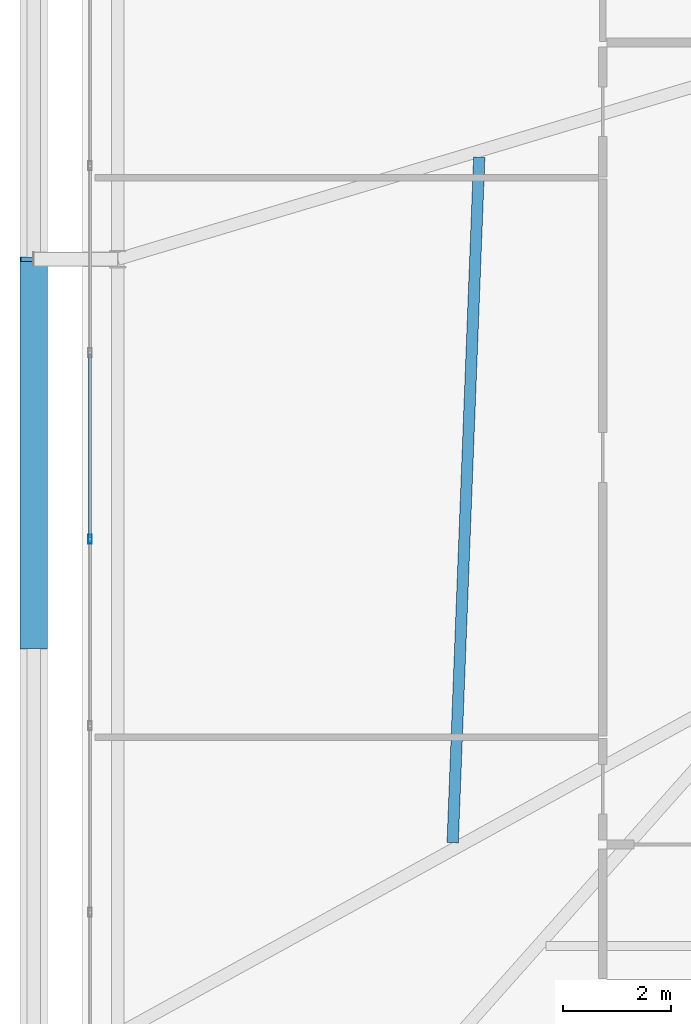
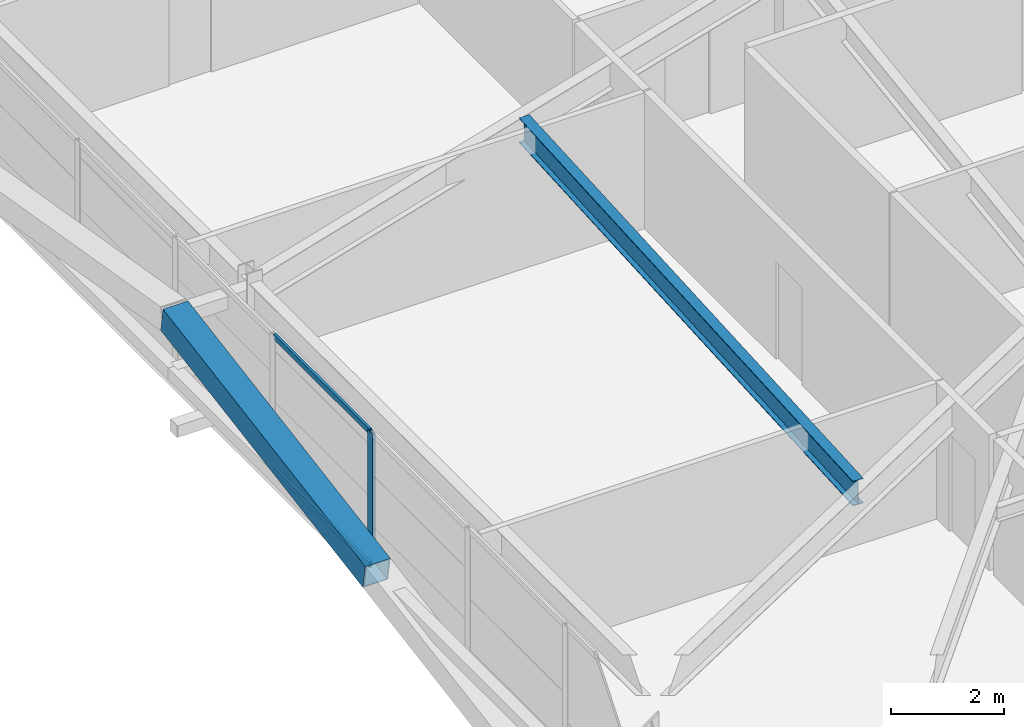
# One storey, part 10 of 59: 4 members, 1 beam, 1 element without a shape of its own.
"""IFC4 building model written with IfcOpenShell, lengths in metres."""

from ifc_helpers import new_model, si_unit, direction, frame, origin, origin_2d, place, context, subcontext, project, spatial, hollow_rectangle, i_section, extrude, source, transform, mapped, material, layer, layer_set, material_profile, profile_set, type_object, element, aggregate, save


model = new_model("IFC4")

# Units and contexts
model_context = context("Model", 3, precision=1e-05, world=origin(), true_north=direction((0.0, 1.0)))
body_context = subcontext(model_context, "Body", "Model", "MODEL_VIEW")
ifc_project = project(units=[si_unit("LENGTHUNIT", "METRE"), si_unit("AREAUNIT", "SQUARE_METRE"), si_unit("VOLUMEUNIT", "CUBIC_METRE"), si_unit("PLANEANGLEUNIT", "RADIAN"), si_unit("MASSUNIT", "GRAM", prefix="KILO")], contexts=[model_context])

# Site, building, storey
site_placement = place(None, origin())
site = spatial("IfcSite", under=ifc_project, at=site_placement, CompositionType="ELEMENT")
building_placement = place(site_placement, origin())
building = spatial("IfcBuilding", under=site, at=building_placement, Name="Taldren Reach Tower", CompositionType="ELEMENT")
storey_placement = place(building_placement, frame((0.0, 0.0, 29.39990234375)))
storey = spatial("IfcBuildingStorey", under=building, at=storey_placement, Name="L08", CompositionType="ELEMENT", Elevation=29.39990234375)

# Beam
ifc_material_1 = material(Name="Steel Gr 350 (350PLUS)", Category="steel")
ifc_material_profile_1 = material_profile(ifc_material_1, i_section(OverallWidth=0.208984375, OverallDepth=0.532958984375, WebThickness=0.01025390625, FlangeThickness=0.015625, at=origin_2d()), Name="530UB92.4")
ifc_profile_set_1 = profile_set([ifc_material_profile_1], Name="Steel Gr 350 (350PLUS)")
beam_type = type_object("IfcBeamType", Name="BM-UB530A", PredefinedType="BEAM", material=ifc_profile_set_1)
shared_shape_1 = source(origin(), body_context, "Body", "SweptSolid", [
    extrude(i_section(OverallWidth=0.208984375, OverallDepth=0.532958984375, WebThickness=0.01025390625, FlangeThickness=0.015625, at=origin_2d()), origin(), (0.0, 0.0, 1.0), 12.65625),
])
beam_placement = place(storey_placement, frame((11.830078125, 9.23291015625, 2.66357421875), z_axis=(0.0387346395, 0.99924953225, 0.0), x_axis=(-0.99924953225, 0.0387346395, 0.0)))
element("IfcBeam", 1, at=beam_placement, inside=storey, type_object=beam_type, Name="Secondary floor beam B1 J6 L08", PredefinedType="BEAM", context=body_context, shape_type="MappedRepresentation", body=[
    mapped(shared_shape_1, transform((0.0, 0.0, 0.0), scale=1.0)),
])

# Member
ifc_material_2 = material(Name="Steel Gr 450 (C450L0)", Category="steel")
ifc_material_profile_2 = material_profile(ifc_material_2, hollow_rectangle(XDim=0.510009765625, YDim=0.510009765625, WallThickness=0.02001953125, at=origin_2d()), Name="510x510x20.0SHS")
ifc_profile_set_2 = profile_set([ifc_material_profile_2], Name="Steel Gr 450 (C450L0)")
member_type_1 = type_object("IfcMemberType", Name="MB-EXO508", PredefinedType="BRACE", material=ifc_profile_set_2)
shared_shape_2 = source(origin(), body_context, "Body", "SweptSolid", [
    extrude(hollow_rectangle(XDim=0.510009765625, YDim=0.510009765625, WallThickness=0.02001953125, at=origin_2d()), origin(), (0.0, 0.0, 1.0), 7.25244140625),
])
member_1_placement = place(storey_placement, frame((4.10009765625, 12.85009765625, 1.43505859375), z_axis=(0.0, 0.985864855729, 0.167542490848), x_axis=(-1.0, 0.0, 0.0)))
element("IfcMember", 2, at=member_1_placement, inside=storey, type_object=member_type_1, Name="Exoskeleton Diagrid Brace B1-W1 L08", PredefinedType="BRACE", context=body_context, shape_type="MappedRepresentation", body=[
    mapped(shared_shape_2, transform((0.0, 0.0, 0.0), scale=1.0)),
])

# Curtain wall, members
ifc_material_3 = material(Name="Aluminium and Low-E Glass Unitised System", Category="aluminium")
ifc_layer = layer(ifc_material_3, 0.159912109375)
ifc_layer_set = layer_set([ifc_layer], Name="Aluminium and Low-E Glass Unitised System")
curtain_wall_type = type_object("IfcCurtainWallType", Name="CW-SYS-2", PredefinedType="NOTDEFINED", material=ifc_layer_set)
curtain_wall_placement = place(storey_placement, origin())
curtain_wall = element("IfcCurtainWall", 3, at=curtain_wall_placement, inside=storey, type_object=curtain_wall_type, Name="Unitised curtain wall CW-L08-W", PredefinedType="NOTDEFINED")
ifc_material_4 = material(Name="Anodised Aluminium 6063-T6", Category="aluminium")
ifc_material_profile_3 = material_profile(ifc_material_4, hollow_rectangle(XDim=0.054931640625, YDim=0.1201171875, WallThickness=0.0029296875, at=origin_2d()), Name="ALU-120x55x3RHS")
ifc_profile_set_3 = profile_set([ifc_material_profile_3], Name="Anodised Aluminium 6063-T6")
member_type_2 = type_object("IfcMemberType", Name="CW-TRN-135", PredefinedType="USERDEFINED", material=ifc_profile_set_3)
shared_shape_3 = source(origin(), body_context, "Body", "SweptSolid", [
    extrude(hollow_rectangle(XDim=0.054931640625, YDim=0.1201171875, WallThickness=0.0029296875, at=origin_2d()), origin(), (0.0, 0.0, 1.0), 3.379638671875),
])
member_2_placement = place(storey_placement, frame((5.139892578125, 18.245361328125, 0.027587890625), z_axis=(0.0, -1.0, 0.0), x_axis=(1.0, 0.0, 0.0)))
member_2 = element("IfcMember", 4, at=member_2_placement, type_object=member_type_2, Name="CW-2 transom 6.1", ObjectType="TRANSOM", PredefinedType="USERDEFINED", context=body_context, shape_type="MappedRepresentation", body=[
    mapped(shared_shape_3, transform((0.0, 0.0, 0.0), scale=1.0)),
])
member_3_placement = place(storey_placement, frame((5.139892578125, 18.245361328125, 2.902587890625), z_axis=(0.0, -1.0, 0.0), x_axis=(1.0, 0.0, 0.0)))
member_3 = element("IfcMember", 5, at=member_3_placement, type_object=member_type_2, Name="CW-2 transom 6.2", ObjectType="TRANSOM", PredefinedType="USERDEFINED", context=body_context, shape_type="MappedRepresentation", body=[
    mapped(shared_shape_3, transform((0.0, 0.0, 0.0), scale=1.0)),
])
ifc_material_profile_4 = material_profile(ifc_material_4, hollow_rectangle(XDim=0.06494140625, YDim=0.1650390625, WallThickness=0.00390625, at=origin_2d()), Name="ALU-165x65x4RHS")
ifc_profile_set_4 = profile_set([ifc_material_profile_4], Name="Anodised Aluminium 6063-T6")
member_type_3 = type_object("IfcMemberType", Name="CW-MUL-165", PredefinedType="MULLION", material=ifc_profile_set_4)
shared_shape_4 = source(origin(), body_context, "Body", "SweptSolid", [
    extrude(hollow_rectangle(XDim=0.06494140625, YDim=0.1650390625, WallThickness=0.00390625, at=origin_2d()), origin(), (0.0, 0.0, 1.0), 2.93017578125),
])
member_4_placement = place(storey_placement, frame((5.139892578125, 14.833251953125, 0.0), z_axis=(0.0, 0.0, 1.0), x_axis=(1.0, 0.0, 0.0)))
member_4 = element("IfcMember", 6, at=member_4_placement, type_object=member_type_3, Name="CW-2 mullion 7", PredefinedType="MULLION", context=body_context, shape_type="MappedRepresentation", body=[
    mapped(shared_shape_4, transform((0.0, 0.0, 0.0), scale=1.0)),
])
aggregate(curtain_wall, [member_4, member_2, member_3])

save(model, "model.ifc")
